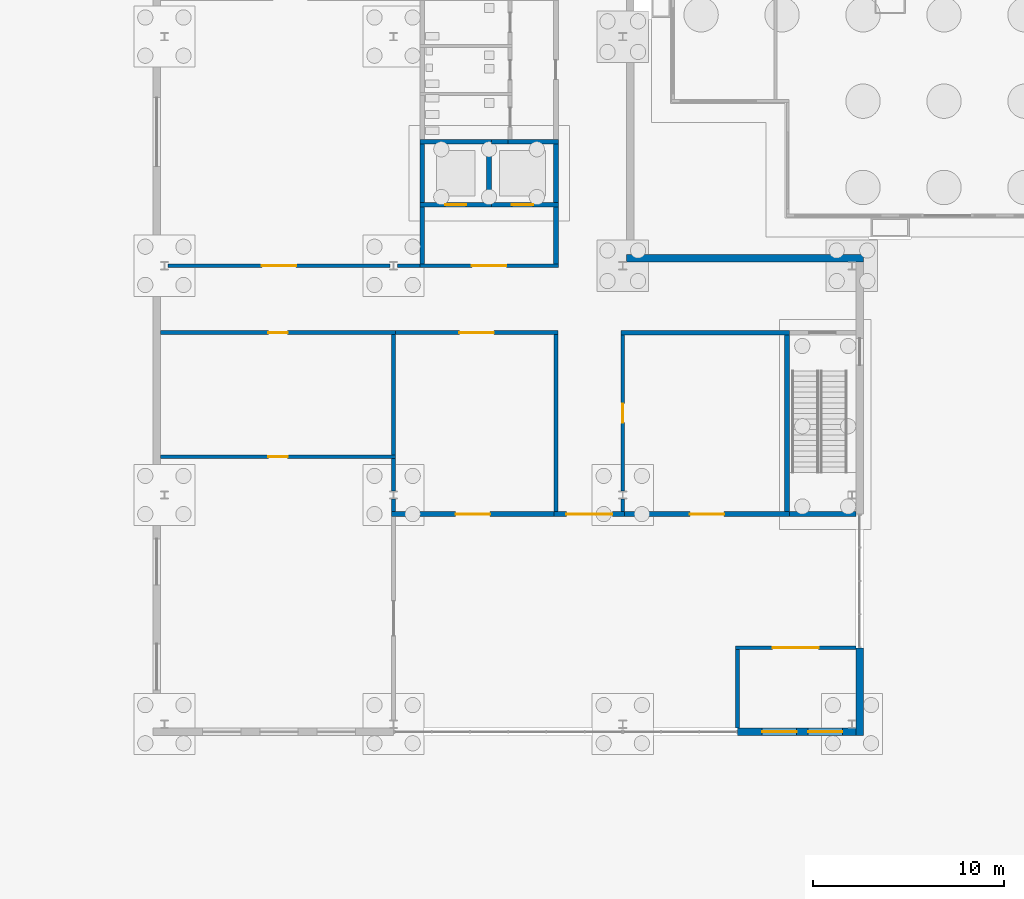
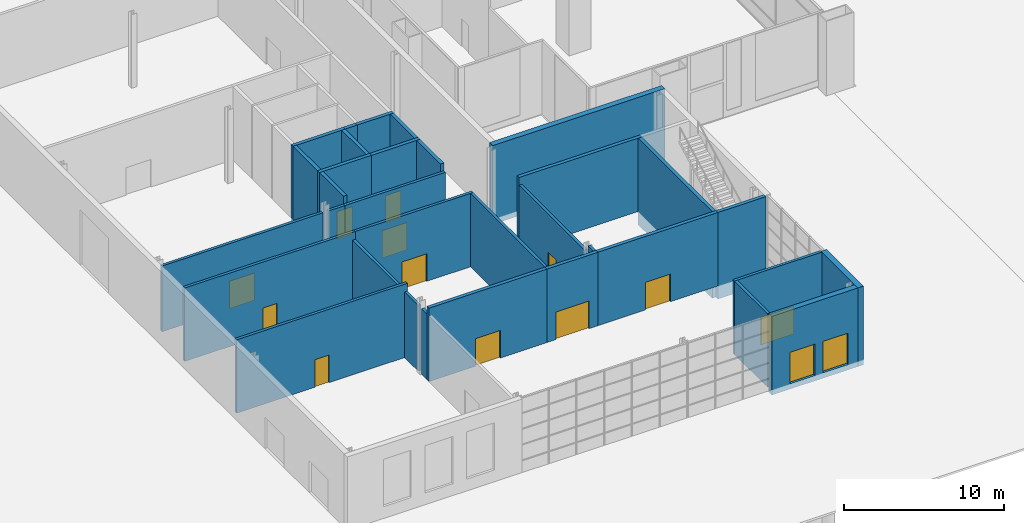
# One storey, part 18 of 29: 33 walls, 14 doors, 14 openings.
"""IFC4 building model written with IfcOpenShell, lengths in metres."""

from ifc_helpers import new_model, si_unit, direction, frame, frame_2d, origin, place, context, subcontext, project, spatial, rectangle, extrude, material, layer, layer_set, type_object, element, fill, save


model = new_model("IFC4")

# Units and contexts
model_context = context("Model", 3, precision=1e-05, world=origin(), true_north=direction((0.0, 1.0)))
body_context = subcontext(model_context, "Body", "Model", "MODEL_VIEW")
ifc_project = project(units=[si_unit("LENGTHUNIT", "METRE"), si_unit("AREAUNIT", "SQUARE_METRE"), si_unit("VOLUMEUNIT", "CUBIC_METRE"), si_unit("PLANEANGLEUNIT", "RADIAN"), si_unit("MASSUNIT", "GRAM", prefix="KILO")], contexts=[model_context])

# Site, building, storey
site_placement = place(None, origin())
site = spatial("IfcSite", under=ifc_project, at=site_placement, CompositionType="ELEMENT")
building_placement = place(site_placement, origin())
building = spatial("IfcBuilding", under=site, at=building_placement, Name="Kitamizu Gate Tower and Museum", CompositionType="ELEMENT")
storey_placement = place(building_placement, origin())
storey = spatial("IfcBuildingStorey", under=building, at=storey_placement, Name="L00", CompositionType="ELEMENT", Elevation=0.0)

# Wall
ifc_material_1 = material(Name="Concrete Fc30", Category="concrete")
ifc_layer_1 = layer(ifc_material_1, 0.25)
ifc_layer_set_1 = layer_set([ifc_layer_1], Name="Concrete Fc30")
wall_type_1 = type_object("IfcWallType", Name="Museum RC core wall 250 EI 90", PredefinedType="SHEAR", material=ifc_layer_set_1)
wall_1_placement = place(storey_placement, frame((-5.5, 1.324951171875, -1.800048828125), z_axis=(0.0, 0.0, 1.0), x_axis=(0.0, 1.0, 0.0)))
element("IfcWall", 1, at=wall_1_placement, inside=storey, type_object=wall_type_1, Name="Core wall L00.16.1", PredefinedType="SHEAR", context=body_context, shape_type="SweptSolid", body=[
    extrude(rectangle(XDim=3.050048828125, YDim=0.25, at=frame_2d((1.52490234375, 0.0))), origin(), (0.0, 0.0, 1.0), 7.400146484375),
])

# Wall, opening, door
wall_2_placement = place(storey_placement, frame((-12.625, 1.199951171875, -1.800048828125), z_axis=(0.0, 0.0, 1.0), x_axis=(1.0, 0.0, 0.0)))
wall_2 = element("IfcWall", 2, at=wall_2_placement, inside=storey, type_object=wall_type_1, Name="Core wall L00.25.1", PredefinedType="SHEAR", context=body_context, shape_type="SweptSolid", body=[
    extrude(rectangle(XDim=3.75, YDim=0.25, at=frame_2d((1.875, 0.0))), origin(), (0.0, 0.0, 1.0), 7.400146484375),
])
opening_1_placement = place(wall_2_placement, frame((1.324951171875, 0.0, 1.800048828125)))
opening_1 = element("IfcOpeningElement", 3, at=opening_1_placement, cuts=wall_2, Name="Opening MUS-L00-012", PredefinedType="OPENING", context=body_context, shape_type="SweptSolid", body=[
    extrude(rectangle(XDim=1.10009765625, YDim=2.10009765625, at=frame_2d((0.550048828125, 1.050048828125))), frame((0.0, 0.135009765625, 0.0), z_axis=(0.0, -1.0, 0.0), x_axis=(1.0, 0.0, 0.0)), (0.0, 0.0, 1.0), 0.27001953125),
])
ifc_material_2 = material(Name="Stainless steel SUS304", Category="steel")
door_type_1 = type_object("IfcDoorType", Name="Museum lift landing door 1100x2100", OperationType="SLIDING_TO_LEFT", PredefinedType="DOOR", material=ifc_material_2)
door_1_placement = place(opening_1_placement, origin())
door_1 = element("IfcDoor", 4, at=door_1_placement, inside=storey, type_object=door_type_1, Name="Lift landing door", OperationType="SLIDING_TO_LEFT", OverallHeight=2.10009765625, OverallWidth=1.10009765625, PredefinedType="DOOR", context=body_context, shape_type="SweptSolid", body=[
    extrude(rectangle(XDim=1.10009765625, YDim=2.10009765625, at=frame_2d((0.550048828125, 1.050048828125))), frame((0.0, 0.02490234375, 0.0), z_axis=(0.0, -1.0, 0.0), x_axis=(1.0, 0.0, 0.0)), (0.0, 0.0, 1.0), 0.050048828125),
])
fill(opening_1, door_1)

wall_3_placement = place(storey_placement, frame((-8.875, 1.199951171875, -1.800048828125), z_axis=(0.0, 0.0, 1.0), x_axis=(1.0, 0.0, 0.0)))
wall_3 = element("IfcWall", 5, at=wall_3_placement, inside=storey, type_object=wall_type_1, Name="Core wall L00.26.1", PredefinedType="SHEAR", context=body_context, shape_type="SweptSolid", body=[
    extrude(rectangle(XDim=3.5, YDim=0.25, at=frame_2d((1.75, 0.0))), origin(), (0.0, 0.0, 1.0), 7.400146484375),
])
opening_2_placement = place(wall_3_placement, frame((1.074951171875, 0.0, 1.800048828125)))
opening_2 = element("IfcOpeningElement", 6, at=opening_2_placement, cuts=wall_3, Name="Opening MUS-L00-013", PredefinedType="OPENING", context=body_context, shape_type="SweptSolid", body=[
    extrude(rectangle(XDim=1.10009765625, YDim=2.10009765625, at=frame_2d((0.550048828125, 1.050048828125))), frame((0.0, 0.135009765625, 0.0), z_axis=(0.0, -1.0, 0.0), x_axis=(1.0, 0.0, 0.0)), (0.0, 0.0, 1.0), 0.27001953125),
])
door_2_placement = place(opening_2_placement, origin())
door_2 = element("IfcDoor", 7, at=door_2_placement, inside=storey, type_object=door_type_1, Name="Lift landing door", OperationType="SLIDING_TO_LEFT", OverallHeight=2.10009765625, OverallWidth=1.10009765625, PredefinedType="DOOR", context=body_context, shape_type="SweptSolid", body=[
    extrude(rectangle(XDim=1.10009765625, YDim=2.10009765625, at=frame_2d((0.550048828125, 1.050048828125))), frame((0.0, 0.02490234375, 0.0), z_axis=(0.0, -1.0, 0.0), x_axis=(1.0, 0.0, 0.0)), (0.0, 0.0, 1.0), 0.050048828125),
])
fill(opening_2, door_2)

# Walls
for number, where, z_axis, x_axis, name in (
    (8, (-12.5, 1.324951171875, -1.800048828125), (0.0, 0.0, 1.0), (0.0, 1.0, 0.0), "Core wall L00.33.1"),
    (9, (-9.0, 1.324951171875, -1.800048828125), (0.0, 0.0, 1.0), (0.0, 1.0, 0.0), "Core wall L00.34.1"),
):
    element("IfcWall", number, at=place(storey_placement, frame(where, z_axis=z_axis, x_axis=x_axis)), inside=storey, type_object=wall_type_1, Name=name, PredefinedType="SHEAR", context=body_context, shape_type="SweptSolid", body=[
        extrude(rectangle(XDim=3.050048828125, YDim=0.25, at=frame_2d((1.52490234375, 0.0))), origin(), (0.0, 0.0, 1.0), 7.400146484375),
    ])
wall_4_placement = place(storey_placement, frame((-12.625, 4.5, -1.800048828125), z_axis=(0.0, 0.0, 1.0), x_axis=(1.0, 0.0, 0.0)))
element("IfcWall", 10, at=wall_4_placement, inside=storey, type_object=wall_type_1, Name="Core wall L00.35.1", PredefinedType="SHEAR", context=body_context, shape_type="SweptSolid", body=[
    extrude(rectangle(XDim=3.75, YDim=0.25, at=frame_2d((1.875, 0.0))), origin(), (0.0, 0.0, 1.0), 7.400146484375),
])
wall_5_placement = place(storey_placement, frame((-8.0, 4.5, -1.800048828125), z_axis=(0.0, 0.0, 1.0), x_axis=(1.0, 0.0, 0.0)))
element("IfcWall", 11, at=wall_5_placement, inside=storey, type_object=wall_type_1, Name="Core wall L00.36.1", PredefinedType="SHEAR", context=body_context, shape_type="SweptSolid", body=[
    extrude(rectangle(XDim=2.625, YDim=0.25, at=frame_2d((1.3125, 0.0))), origin(), (0.0, 0.0, 1.0), 7.400146484375),
])
wall_6_placement = place(storey_placement, frame((-8.875, 4.5, -1.800048828125), z_axis=(0.0, 0.0, 1.0), x_axis=(1.0, 0.0, 0.0)))
element("IfcWall", 12, at=wall_6_placement, inside=storey, type_object=wall_type_1, Name="Core wall L00.37.1", PredefinedType="SHEAR", context=body_context, shape_type="SweptSolid", body=[
    extrude(rectangle(XDim=0.875, YDim=0.25, at=frame_2d((0.4375, 0.0))), origin(), (0.0, 0.0, 1.0), 7.400146484375),
])
wall_7_placement = place(storey_placement, frame((6.72509765625, -15.0, -1.0), z_axis=(0.0, 0.0, 1.0), x_axis=(1.0, 0.0, 0.0)))
element("IfcWall", 13, at=wall_7_placement, inside=storey, type_object=wall_type_1, Name="Core wall L00.40.1", PredefinedType="SHEAR", context=body_context, shape_type="SweptSolid", body=[
    extrude(rectangle(XDim=3.474853515625, YDim=0.25, at=frame_2d((1.7373046875, 0.0))), origin(), (0.0, 0.0, 1.0), 6.60009765625),
])
wall_8_placement = place(storey_placement, frame((6.60009765625, -14.875, -1.0), z_axis=(0.0, 0.0, 1.0), x_axis=(0.0, 1.0, 0.0)))
element("IfcWall", 14, at=wall_8_placement, inside=storey, type_object=wall_type_1, Name="Core wall L00.41.1", PredefinedType="SHEAR", context=body_context, shape_type="SweptSolid", body=[
    extrude(rectangle(XDim=9.25, YDim=0.25, at=frame_2d((4.625, 0.0))), origin(), (0.0, 0.0, 1.0), 6.60009765625),
])

# Wall, openings, doors
ifc_material_3 = material(Name="Concrete Fc30 precast", Category="concrete")
ifc_layer_2 = layer(ifc_material_3, 0.39990234375)
ifc_layer_set_2 = layer_set([ifc_layer_2], Name="Concrete Fc30 precast")
wall_type_2 = type_object("IfcWallType", Name="Museum cladding wall 400", PredefinedType="STANDARD", material=ifc_layer_set_2)
wall_9_placement = place(storey_placement, frame((4.0, -26.39990234375, -0.39990234375), z_axis=(0.0, 0.0, 1.0), x_axis=(1.0, 0.0, 0.0)))
wall_9 = element("IfcWall", 15, at=wall_9_placement, inside=storey, type_object=wall_type_2, Name="Cladding wall L00.1", PredefinedType="STANDARD", context=body_context, shape_type="SweptSolid", body=[
    extrude(rectangle(XDim=6.199951171875, YDim=0.39990234375, at=frame_2d((3.10009765625, 0.0))), origin(), (0.0, 0.0, 1.0), 6.0),
])
opening_3_placement = place(wall_9_placement, frame((1.300048828125, 0.0, 0.39990234375)))
opening_3 = element("IfcOpeningElement", 16, at=opening_3_placement, cuts=wall_9, Name="Opening MUS-L00-001", PredefinedType="OPENING", context=body_context, shape_type="SweptSolid", body=[
    extrude(rectangle(XDim=1.800048828125, YDim=2.39990234375, at=frame_2d((0.89990234375, 1.199951171875))), frame((0.0, 0.2099609375, 0.0), z_axis=(0.0, -1.0, 0.0), x_axis=(1.0, 0.0, 0.0)), (0.0, 0.0, 1.0), 0.419921875),
])
opening_4_placement = place(wall_9_placement, frame((3.699951171875, 0.0, 0.39990234375)))
opening_4 = element("IfcOpeningElement", 17, at=opening_4_placement, cuts=wall_9, Name="Opening MUS-L00-002", PredefinedType="OPENING", context=body_context, shape_type="SweptSolid", body=[
    extrude(rectangle(XDim=1.800048828125, YDim=2.39990234375, at=frame_2d((0.89990234375, 1.199951171875))), frame((0.0, 0.2099609375, 0.0), z_axis=(0.0, -1.0, 0.0), x_axis=(1.0, 0.0, 0.0)), (0.0, 0.0, 1.0), 0.419921875),
])
ifc_material_4 = material(Name="Bronze anodised aluminium and tinted glass", Category="aluminium")
door_type_2 = type_object("IfcDoorType", Name="Museum entrance door 1800x2400", OperationType="DOUBLE_DOOR_SINGLE_SWING", PredefinedType="DOOR", material=ifc_material_4)
door_3_placement = place(opening_3_placement, frame((1.800048828125, 0.0, 0.0), x_axis=(-1.0, 0.0, 0.0)))
door_3 = element("IfcDoor", 18, at=door_3_placement, inside=storey, type_object=door_type_2, Name="Entrance door", OperationType="DOUBLE_DOOR_SINGLE_SWING", OverallHeight=2.39990234375, OverallWidth=1.800048828125, PredefinedType="DOOR", context=body_context, shape_type="SweptSolid", body=[
    extrude(rectangle(XDim=1.800048828125, YDim=2.39990234375, at=frame_2d((0.89990234375, 1.199951171875))), frame((0.0, 0.02490234375, 0.0), z_axis=(0.0, -1.0, 0.0), x_axis=(1.0, 0.0, 0.0)), (0.0, 0.0, 1.0), 0.050048828125),
])
fill(opening_3, door_3)
door_4_placement = place(opening_4_placement, frame((1.800048828125, 0.0, 0.0), x_axis=(-1.0, 0.0, 0.0)))
door_4 = element("IfcDoor", 19, at=door_4_placement, inside=storey, type_object=door_type_2, Name="Entrance door", OperationType="DOUBLE_DOOR_SINGLE_SWING", OverallHeight=2.39990234375, OverallWidth=1.800048828125, PredefinedType="DOOR", context=body_context, shape_type="SweptSolid", body=[
    extrude(rectangle(XDim=1.800048828125, YDim=2.39990234375, at=frame_2d((0.89990234375, 1.199951171875))), frame((0.0, 0.02490234375, 0.0), z_axis=(0.0, -1.0, 0.0), x_axis=(1.0, 0.0, 0.0)), (0.0, 0.0, 1.0), 0.050048828125),
])
fill(opening_4, door_4)

# Walls
wall_10_placement = place(storey_placement, frame((10.39990234375, -26.60009765625, -0.39990234375), z_axis=(0.0, 0.0, 1.0), x_axis=(0.0, 1.0, 0.0)))
element("IfcWall", 20, at=wall_10_placement, inside=storey, type_object=wall_type_2, Name="Cladding wall L00.3", PredefinedType="STANDARD", context=body_context, shape_type="SweptSolid", body=[
    extrude(rectangle(XDim=4.60009765625, YDim=0.39990234375, at=frame_2d((2.300048828125, 0.0))), origin(), (0.0, 0.0, 1.0), 6.0),
])
wall_11_placement = place(storey_placement, frame((-1.800048828125, -1.60009765625, -0.39990234375), z_axis=(0.0, 0.0, 1.0), x_axis=(1.0, 0.0, 0.0)))
element("IfcWall", 21, at=wall_11_placement, inside=storey, type_object=wall_type_2, Name="Cladding wall L00.6", PredefinedType="STANDARD", context=body_context, shape_type="SweptSolid", body=[
    extrude(rectangle(XDim=12.400146484375, YDim=0.39990234375, at=frame_2d((6.2001953125, 0.0))), origin(), (0.0, 0.0, 1.0), 6.0),
])

# Wall, opening, door
ifc_material_5 = material(Name="Gypsum board on galvanised stud")
ifc_layer_3 = layer(ifc_material_5, 0.199951171875)
ifc_layer_set_3 = layer_set([ifc_layer_3], Name="Gypsum board on galvanised stud")
wall_type_3 = type_object("IfcWallType", Name="Museum fire rated partition 200", PredefinedType="PARTITIONING", material=ifc_layer_set_3)
wall_12_placement = place(storey_placement, frame((-26.199951171875, -12.0, 0.0), z_axis=(0.0, 0.0, 1.0), x_axis=(1.0, 0.0, 0.0)))
wall_12 = element("IfcWall", 22, at=wall_12_placement, inside=storey, type_object=wall_type_3, Name="Fire-rated partition L00.2.1", PredefinedType="PARTITIONING", context=body_context, shape_type="SweptSolid", body=[
    extrude(rectangle(XDim=12.300048828125, YDim=0.199951171875, at=frame_2d((6.14990234375, 0.0))), origin(), (0.0, 0.0, 1.0), 5.60009765625),
])
opening_5_placement = place(wall_12_placement, frame((5.64990234375, 0.0, 0.0)))
opening_5 = element("IfcOpeningElement", 23, at=opening_5_placement, cuts=wall_12, Name="Opening MUS-L00-021", PredefinedType="OPENING", context=body_context, shape_type="SweptSolid", body=[
    extrude(rectangle(XDim=1.0, YDim=2.10009765625, at=frame_2d((0.5, 1.050048828125))), frame((0.0, 0.10986328125, 0.0), z_axis=(0.0, -1.0, 0.0), x_axis=(1.0, 0.0, 0.0)), (0.0, 0.0, 1.0), 0.219970703125),
])
ifc_material_6 = material(Name="Timber leaf in hollow metal frame", Category="wood")
door_type_3 = type_object("IfcDoorType", Name="Museum door 1000x2100 FD60", OperationType="NOTDEFINED", PredefinedType="DOOR", material=ifc_material_6)
door_5_placement = place(opening_5_placement, origin())
door_5 = element("IfcDoor", 24, at=door_5_placement, inside=storey, type_object=door_type_3, Name="Door Cafe kitchen", OperationType="SINGLE_SWING_LEFT", OverallHeight=2.10009765625, OverallWidth=1.0, PredefinedType="DOOR", context=body_context, shape_type="SweptSolid", body=[
    extrude(rectangle(XDim=1.0, YDim=2.10009765625, at=frame_2d((0.5, 1.050048828125))), frame((0.0, 0.02490234375, 0.0), z_axis=(0.0, -1.0, 0.0), x_axis=(1.0, 0.0, 0.0)), (0.0, 0.0, 1.0), 0.050048828125),
])
fill(opening_5, door_5)

# Wall
wall_13_placement = place(storey_placement, frame((-14.0, -11.89990234375, 0.0), z_axis=(0.0, 0.0, 1.0), x_axis=(0.0, 1.0, 0.0)))
element("IfcWall", 25, at=wall_13_placement, inside=storey, type_object=wall_type_3, Name="Fire-rated partition L00.4.1", PredefinedType="PARTITIONING", context=body_context, shape_type="SweptSolid", body=[
    extrude(rectangle(XDim=6.2998046875, YDim=0.199951171875, at=frame_2d((3.14990234375, 0.0))), origin(), (0.0, 0.0, 1.0), 5.011962890625),
])

# Wall, opening, door
wall_14_placement = place(storey_placement, frame((-26.199951171875, -5.5, 0.0), z_axis=(0.0, 0.0, 1.0), x_axis=(1.0, 0.0, 0.0)))
wall_14 = element("IfcWall", 26, at=wall_14_placement, inside=storey, type_object=wall_type_3, Name="Fire-rated partition L00.5.1", PredefinedType="PARTITIONING", context=body_context, shape_type="SweptSolid", body=[
    extrude(rectangle(XDim=12.300048828125, YDim=0.199951171875, at=frame_2d((6.14990234375, 0.0))), origin(), (0.0, 0.0, 1.0), 5.60009765625),
])
opening_6_placement = place(wall_14_placement, frame((5.64990234375, 0.0, 0.0)))
opening_6 = element("IfcOpeningElement", 27, at=opening_6_placement, cuts=wall_14, Name="Opening MUS-L00-022", PredefinedType="OPENING", context=body_context, shape_type="SweptSolid", body=[
    extrude(rectangle(XDim=1.0, YDim=2.10009765625, at=frame_2d((0.5, 1.050048828125))), frame((0.0, 0.10986328125, 0.0), z_axis=(0.0, -1.0, 0.0), x_axis=(1.0, 0.0, 0.0)), (0.0, 0.0, 1.0), 0.219970703125),
])
door_6_placement = place(opening_6_placement, frame((1.0, 0.0, 0.0), x_axis=(-1.0, 0.0, 0.0)))
door_6 = element("IfcDoor", 28, at=door_6_placement, inside=storey, type_object=door_type_3, Name="Door Cafe kitchen", OperationType="SINGLE_SWING_LEFT", OverallHeight=2.10009765625, OverallWidth=1.0, PredefinedType="DOOR", context=body_context, shape_type="SweptSolid", body=[
    extrude(rectangle(XDim=1.0, YDim=2.10009765625, at=frame_2d((0.5, 1.050048828125))), frame((0.0, 0.02490234375, 0.0), z_axis=(0.0, -1.0, 0.0), x_axis=(1.0, 0.0, 0.0)), (0.0, 0.0, 1.0), 0.050048828125),
])
fill(opening_6, door_6)

wall_15_placement = place(storey_placement, frame((-12.625, -2.0, 0.0), z_axis=(0.0, 0.0, 1.0), x_axis=(1.0, 0.0, 0.0)))
wall_15 = element("IfcWall", 29, at=wall_15_placement, inside=storey, type_object=wall_type_3, Name="Fire-rated partition L00.8.1", PredefinedType="PARTITIONING", context=body_context, shape_type="SweptSolid", body=[
    extrude(rectangle(XDim=7.25, YDim=0.199951171875, at=frame_2d((3.625, 0.0))), origin(), (0.0, 0.0, 1.0), 5.011962890625),
])
opening_7_placement = place(wall_15_placement, frame((2.72509765625, 0.0, 0.0)))
opening_7 = element("IfcOpeningElement", 30, at=opening_7_placement, cuts=wall_15, Name="Opening MUS-L00-011", PredefinedType="OPENING", context=body_context, shape_type="SweptSolid", body=[
    extrude(rectangle(XDim=1.800048828125, YDim=2.10009765625, at=frame_2d((0.89990234375, 1.050048828125))), frame((0.0, 0.10986328125, 0.0), z_axis=(0.0, -1.0, 0.0), x_axis=(1.0, 0.0, 0.0)), (0.0, 0.0, 1.0), 0.219970703125),
])
ifc_material_7 = material(Name="Timber leaf in hollow metal frame", Category="wood")
door_type_4 = type_object("IfcDoorType", Name="Museum door 1800x2100 FD60", OperationType="DOUBLE_DOOR_SINGLE_SWING", PredefinedType="DOOR", material=ifc_material_7)
door_7_placement = place(opening_7_placement, origin())
door_7 = element("IfcDoor", 31, at=door_7_placement, inside=storey, type_object=door_type_4, Name="Door Lift lobby", OperationType="DOUBLE_DOOR_SINGLE_SWING", OverallHeight=2.10009765625, OverallWidth=1.800048828125, PredefinedType="DOOR", context=body_context, shape_type="SweptSolid", body=[
    extrude(rectangle(XDim=1.800048828125, YDim=2.10009765625, at=frame_2d((0.89990234375, 1.050048828125))), frame((0.0, 0.02490234375, 0.0), z_axis=(0.0, -1.0, 0.0), x_axis=(1.0, 0.0, 0.0)), (0.0, 0.0, 1.0), 0.050048828125),
])
fill(opening_7, door_7)

wall_16_placement = place(storey_placement, frame((-25.800048828125, -2.0, 0.0), z_axis=(0.0, 0.0, 1.0), x_axis=(1.0, 0.0, 0.0)))
wall_16 = element("IfcWall", 32, at=wall_16_placement, inside=storey, type_object=wall_type_3, Name="Fire-rated partition L00.10.1", PredefinedType="PARTITIONING", context=body_context, shape_type="SweptSolid", body=[
    extrude(rectangle(XDim=11.60009765625, YDim=0.199951171875, at=frame_2d((5.800048828125, 0.0))), origin(), (0.0, 0.0, 1.0), 5.011962890625),
])
opening_8_placement = place(wall_16_placement, frame((4.89990234375, 0.0, 0.0)))
opening_8 = element("IfcOpeningElement", 33, at=opening_8_placement, cuts=wall_16, Name="Opening MUS-L00-025", PredefinedType="OPENING", context=body_context, shape_type="SweptSolid", body=[
    extrude(rectangle(XDim=1.800048828125, YDim=2.10009765625, at=frame_2d((0.89990234375, 1.050048828125))), frame((0.0, 0.10986328125, 0.0), z_axis=(0.0, -1.0, 0.0), x_axis=(1.0, 0.0, 0.0)), (0.0, 0.0, 1.0), 0.219970703125),
])
door_8_placement = place(opening_8_placement, origin())
door_8 = element("IfcDoor", 34, at=door_8_placement, inside=storey, type_object=door_type_4, Name="Door Loading bay", OperationType="DOUBLE_DOOR_SINGLE_SWING", OverallHeight=2.10009765625, OverallWidth=1.800048828125, PredefinedType="DOOR", context=body_context, shape_type="SweptSolid", body=[
    extrude(rectangle(XDim=1.800048828125, YDim=2.10009765625, at=frame_2d((0.89990234375, 1.050048828125))), frame((0.0, 0.02490234375, 0.0), z_axis=(0.0, -1.0, 0.0), x_axis=(1.0, 0.0, 0.0)), (0.0, 0.0, 1.0), 0.050048828125),
])
fill(opening_8, door_8)

# Walls
wall_17_placement = place(storey_placement, frame((-13.800048828125, -2.0, 0.0), z_axis=(0.0, 0.0, 1.0), x_axis=(1.0, 0.0, 0.0)))
element("IfcWall", 35, at=wall_17_placement, inside=storey, type_object=wall_type_3, Name="Fire-rated partition L00.10.2", PredefinedType="PARTITIONING", context=body_context, shape_type="SweptSolid", body=[
    extrude(rectangle(XDim=1.175048828125, YDim=0.199951171875, at=frame_2d((0.58740234375, 0.0))), origin(), (0.0, 0.0, 1.0), 5.011962890625),
])
wall_18_placement = place(storey_placement, frame((-5.5, -14.875, 0.0), z_axis=(0.0, 0.0, 1.0), x_axis=(0.0, 1.0, 0.0)))
element("IfcWall", 36, at=wall_18_placement, inside=storey, type_object=wall_type_3, Name="Fire-rated partition L00.12.1", PredefinedType="PARTITIONING", context=body_context, shape_type="SweptSolid", body=[
    extrude(rectangle(XDim=9.27490234375, YDim=0.199951171875, at=frame_2d((4.637451171875, 0.0))), origin(), (0.0, 0.0, 1.0), 5.60009765625),
])

# Wall, opening, door
wall_19_placement = place(storey_placement, frame((-13.89990234375, -5.5, 0.0), z_axis=(0.0, 0.0, 1.0), x_axis=(1.0, 0.0, 0.0)))
wall_19 = element("IfcWall", 37, at=wall_19_placement, inside=storey, type_object=wall_type_3, Name="Fire-rated partition L00.13.1", PredefinedType="PARTITIONING", context=body_context, shape_type="SweptSolid", body=[
    extrude(rectangle(XDim=8.5, YDim=0.199951171875, at=frame_2d((4.25, 0.0))), origin(), (0.0, 0.0, 1.0), 5.60009765625),
])
opening_9_placement = place(wall_19_placement, frame((3.35009765625, 0.0, 0.0)))
opening_9 = element("IfcOpeningElement", 38, at=opening_9_placement, cuts=wall_19, Name="Opening MUS-L00-023", PredefinedType="OPENING", context=body_context, shape_type="SweptSolid", body=[
    extrude(rectangle(XDim=1.800048828125, YDim=2.10009765625, at=frame_2d((0.89990234375, 1.050048828125))), frame((0.0, 0.10986328125, 0.0), z_axis=(0.0, -1.0, 0.0), x_axis=(1.0, 0.0, 0.0)), (0.0, 0.0, 1.0), 0.219970703125),
])
door_9_placement = place(opening_9_placement, origin())
door_9 = element("IfcDoor", 39, at=door_9_placement, inside=storey, type_object=door_type_4, Name="Door Museum shop", OperationType="DOUBLE_DOOR_SINGLE_SWING", OverallHeight=2.10009765625, OverallWidth=1.800048828125, PredefinedType="DOOR", context=body_context, shape_type="SweptSolid", body=[
    extrude(rectangle(XDim=1.800048828125, YDim=2.10009765625, at=frame_2d((0.89990234375, 1.050048828125))), frame((0.0, 0.02490234375, 0.0), z_axis=(0.0, -1.0, 0.0), x_axis=(1.0, 0.0, 0.0)), (0.0, 0.0, 1.0), 0.050048828125),
])
fill(opening_9, door_9)

# Wall
wall_20_placement = place(storey_placement, frame((-2.0, -14.875, 0.0), z_axis=(0.0, 0.0, 1.0), x_axis=(0.0, 1.0, 0.0)))
element("IfcWall", 40, at=wall_20_placement, inside=storey, type_object=wall_type_3, Name="Fire-rated partition L00.14.1", PredefinedType="PARTITIONING", context=body_context, shape_type="SweptSolid", body=[
    extrude(rectangle(XDim=0.675048828125, YDim=0.199951171875, at=frame_2d((0.33740234375, 0.0))), origin(), (0.0, 0.0, 1.0), 5.60009765625),
])

# Wall, opening, door
wall_21_placement = place(storey_placement, frame((-2.0, -13.800048828125, 0.0), z_axis=(0.0, 0.0, 1.0), x_axis=(0.0, 1.0, 0.0)))
wall_21 = element("IfcWall", 41, at=wall_21_placement, inside=storey, type_object=wall_type_3, Name="Fire-rated partition L00.14.2", PredefinedType="PARTITIONING", context=body_context, shape_type="SweptSolid", body=[
    extrude(rectangle(XDim=8.175048828125, YDim=0.199951171875, at=frame_2d((4.08740234375, 0.0))), origin(), (0.0, 0.0, 1.0), 5.011962890625),
])
opening_10_placement = place(wall_21_placement, frame((3.587890625, 0.0, 0.0)))
opening_10 = element("IfcOpeningElement", 42, at=opening_10_placement, cuts=wall_21, Name="Opening MUS-L00-024", PredefinedType="OPENING", context=body_context, shape_type="SweptSolid", body=[
    extrude(rectangle(XDim=1.0, YDim=2.10009765625, at=frame_2d((0.5, 1.050048828125))), frame((0.0, 0.10986328125, 0.0), z_axis=(0.0, -1.0, 0.0), x_axis=(1.0, 0.0, 0.0)), (0.0, 0.0, 1.0), 0.219970703125),
])
door_10_placement = place(opening_10_placement, frame((1.0, 0.0, 0.0), x_axis=(-1.0, 0.0, 0.0)))
door_10 = element("IfcDoor", 43, at=door_10_placement, inside=storey, type_object=door_type_3, Name="Door Reception and cloakroom", OperationType="SINGLE_SWING_RIGHT", OverallHeight=2.10009765625, OverallWidth=1.0, PredefinedType="DOOR", context=body_context, shape_type="SweptSolid", body=[
    extrude(rectangle(XDim=1.0, YDim=2.10009765625, at=frame_2d((0.5, 1.050048828125))), frame((0.0, 0.02490234375, 0.0), z_axis=(0.0, -1.0, 0.0), x_axis=(1.0, 0.0, 0.0)), (0.0, 0.0, 1.0), 0.050048828125),
])
fill(opening_10, door_10)

# Wall
wall_22_placement = place(storey_placement, frame((4.0, -26.199951171875, 0.0), z_axis=(0.0, 0.0, 1.0), x_axis=(0.0, 1.0, 0.0)))
element("IfcWall", 44, at=wall_22_placement, inside=storey, type_object=wall_type_3, Name="Fire-rated partition L00.22.1", PredefinedType="PARTITIONING", context=body_context, shape_type="SweptSolid", body=[
    extrude(rectangle(XDim=4.099853515625, YDim=0.199951171875, at=frame_2d((2.0498046875, 0.0))), origin(), (0.0, 0.0, 1.0), 5.60009765625),
])

# Wall, opening, door
wall_23_placement = place(storey_placement, frame((3.89990234375, -22.0, 0.0), z_axis=(0.0, 0.0, 1.0), x_axis=(1.0, 0.0, 0.0)))
wall_23 = element("IfcWall", 45, at=wall_23_placement, inside=storey, type_object=wall_type_3, Name="Fire-rated partition L00.23.1", PredefinedType="PARTITIONING", context=body_context, shape_type="SweptSolid", body=[
    extrude(rectangle(XDim=6.300048828125, YDim=0.199951171875, at=frame_2d((3.14990234375, 0.0))), origin(), (0.0, 0.0, 1.0), 5.60009765625),
])
opening_11_placement = place(wall_23_placement, frame((1.949951171875, 0.0, 0.0)))
opening_11 = element("IfcOpeningElement", 46, at=opening_11_placement, cuts=wall_23, Name="Opening MUS-L00-018", PredefinedType="OPENING", context=body_context, shape_type="SweptSolid", body=[
    extrude(rectangle(XDim=2.39990234375, YDim=2.10009765625, at=frame_2d((1.199951171875, 1.050048828125))), frame((0.0, 0.10986328125, 0.0), z_axis=(0.0, -1.0, 0.0), x_axis=(1.0, 0.0, 0.0)), (0.0, 0.0, 1.0), 0.219970703125),
])
ifc_material_8 = material(Name="Timber leaf in hollow metal frame", Category="wood")
door_type_5 = type_object("IfcDoorType", Name="Museum door 2400x2100 FD60", OperationType="DOUBLE_DOOR_SINGLE_SWING", PredefinedType="DOOR", material=ifc_material_8)
door_11_placement = place(opening_11_placement, origin())
door_11 = element("IfcDoor", 47, at=door_11_placement, inside=storey, type_object=door_type_5, Name="Door Entrance lobby", OperationType="DOUBLE_DOOR_SINGLE_SWING", OverallHeight=2.10009765625, OverallWidth=2.39990234375, PredefinedType="DOOR", context=body_context, shape_type="SweptSolid", body=[
    extrude(rectangle(XDim=2.39990234375, YDim=2.10009765625, at=frame_2d((1.199951171875, 1.050048828125))), frame((0.0, 0.02490234375, 0.0), z_axis=(0.0, -1.0, 0.0), x_axis=(1.0, 0.0, 0.0)), (0.0, 0.0, 1.0), 0.050048828125),
])
fill(opening_11, door_11)

# Wall
ifc_material_9 = material(Name="Gypsum board on galvanised stud")
ifc_layer_4 = layer(ifc_material_9, 0.25)
ifc_layer_set_4 = layer_set([ifc_layer_4], Name="Gypsum board on galvanised stud")
wall_type_4 = type_object("IfcWallType", Name="Museum fire rated partition 250", PredefinedType="PARTITIONING", material=ifc_layer_set_4)
wall_24_placement = place(storey_placement, frame((-5.5, -1.89990234375, 0.0), z_axis=(0.0, 0.0, 1.0), x_axis=(0.0, 1.0, 0.0)))
element("IfcWall", 48, at=wall_24_placement, inside=storey, type_object=wall_type_4, Name="Fire-rated partition L00.9.1", PredefinedType="PARTITIONING", context=body_context, shape_type="SweptSolid", body=[
    extrude(rectangle(XDim=2.974853515625, YDim=0.25, at=frame_2d((1.4873046875, 0.0))), origin(), (0.0, 0.0, 1.0), 5.60009765625),
])

# Wall, opening, door
wall_25_placement = place(storey_placement, frame((-5.60009765625, -15.0, 0.0), z_axis=(0.0, 0.0, 1.0), x_axis=(1.0, 0.0, 0.0)))
wall_25 = element("IfcWall", 49, at=wall_25_placement, inside=storey, type_object=wall_type_4, Name="Fire-rated partition L00.11.1", PredefinedType="PARTITIONING", context=body_context, shape_type="SweptSolid", body=[
    extrude(rectangle(XDim=3.7001953125, YDim=0.25, at=frame_2d((1.85009765625, 0.0))), origin(), (0.0, 0.0, 1.0), 5.60009765625),
])
opening_12_placement = place(wall_25_placement, frame((0.64990234375, 0.0, 0.0)))
opening_12 = element("IfcOpeningElement", 50, at=opening_12_placement, cuts=wall_25, Name="Opening MUS-L00-019", PredefinedType="OPENING", context=body_context, shape_type="SweptSolid", body=[
    extrude(rectangle(XDim=2.39990234375, YDim=2.10009765625, at=frame_2d((1.199951171875, 1.050048828125))), frame((0.0, 0.135009765625, 0.0), z_axis=(0.0, -1.0, 0.0), x_axis=(1.0, 0.0, 0.0)), (0.0, 0.0, 1.0), 0.27001953125),
])
door_12_placement = place(opening_12_placement, origin())
door_12 = element("IfcDoor", 51, at=door_12_placement, inside=storey, type_object=door_type_5, Name="Door Main hall", OperationType="DOUBLE_DOOR_SINGLE_SWING", OverallHeight=2.10009765625, OverallWidth=2.39990234375, PredefinedType="DOOR", context=body_context, shape_type="SweptSolid", body=[
    extrude(rectangle(XDim=2.39990234375, YDim=2.10009765625, at=frame_2d((1.199951171875, 1.050048828125))), frame((0.0, 0.02490234375, 0.0), z_axis=(0.0, -1.0, 0.0), x_axis=(1.0, 0.0, 0.0)), (0.0, 0.0, 1.0), 0.050048828125),
])
fill(opening_12, door_12)

# Walls
wall_26_placement = place(storey_placement, frame((-2.10009765625, -5.5, 0.0), z_axis=(0.0, 0.0, 1.0), x_axis=(1.0, 0.0, 0.0)))
element("IfcWall", 52, at=wall_26_placement, inside=storey, type_object=wall_type_4, Name="Fire-rated partition L00.15.1", PredefinedType="PARTITIONING", context=body_context, shape_type="SweptSolid", body=[
    extrude(rectangle(XDim=8.8251953125, YDim=0.25, at=frame_2d((4.41259765625, 0.0))), origin(), (0.0, 0.0, 1.0), 5.60009765625),
])
wall_27_placement = place(storey_placement, frame((-12.5, -1.89990234375, 0.0), z_axis=(0.0, 0.0, 1.0), x_axis=(0.0, 1.0, 0.0)))
element("IfcWall", 53, at=wall_27_placement, inside=storey, type_object=wall_type_4, Name="Fire-rated partition L00.24.1", PredefinedType="PARTITIONING", context=body_context, shape_type="SweptSolid", body=[
    extrude(rectangle(XDim=2.974853515625, YDim=0.25, at=frame_2d((1.4873046875, 0.0))), origin(), (0.0, 0.0, 1.0), 5.60009765625),
])
ifc_material_10 = material(Name="Gypsum board on galvanised stud")
ifc_layer_5 = layer(ifc_material_10, 0.199951171875)
ifc_layer_set_5 = layer_set([ifc_layer_5], Name="Gypsum board on galvanised stud")
wall_type_5 = type_object("IfcWallType", Name="Museum partition 200", PredefinedType="PARTITIONING", material=ifc_layer_set_5)
wall_28_placement = place(storey_placement, frame((-14.0, -14.875, 0.0), z_axis=(0.0, 0.0, 1.0), x_axis=(0.0, 1.0, 0.0)))
element("IfcWall", 54, at=wall_28_placement, inside=storey, type_object=wall_type_5, Name="Partition L00.3.1", PredefinedType="PARTITIONING", context=body_context, shape_type="SweptSolid", body=[
    extrude(rectangle(XDim=0.675048828125, YDim=0.199951171875, at=frame_2d((0.33740234375, 0.0))), origin(), (0.0, 0.0, 1.0), 5.011962890625),
])
wall_29_placement = place(storey_placement, frame((-14.0, -13.800048828125, 0.0), z_axis=(0.0, 0.0, 1.0), x_axis=(0.0, 1.0, 0.0)))
element("IfcWall", 55, at=wall_29_placement, inside=storey, type_object=wall_type_5, Name="Partition L00.3.2", PredefinedType="PARTITIONING", context=body_context, shape_type="SweptSolid", body=[
    extrude(rectangle(XDim=1.699951171875, YDim=0.199951171875, at=frame_2d((0.85009765625, 0.0))), origin(), (0.0, 0.0, 1.0), 5.011962890625),
])

# Wall, opening, door
ifc_material_11 = material(Name="Gypsum board on galvanised stud")
ifc_layer_6 = layer(ifc_material_11, 0.25)
ifc_layer_set_6 = layer_set([ifc_layer_6], Name="Gypsum board on galvanised stud")
wall_type_6 = type_object("IfcWallType", Name="Museum partition 250", PredefinedType="PARTITIONING", material=ifc_layer_set_6)
wall_30_placement = place(storey_placement, frame((-14.10009765625, -15.0, 0.0), z_axis=(0.0, 0.0, 1.0), x_axis=(1.0, 0.0, 0.0)))
wall_30 = element("IfcWall", 56, at=wall_30_placement, inside=storey, type_object=wall_type_6, Name="Partition L00.29.1", PredefinedType="PARTITIONING", context=body_context, shape_type="SweptSolid", body=[
    extrude(rectangle(XDim=8.5, YDim=0.25, at=frame_2d((4.25, 0.0))), origin(), (0.0, 0.0, 1.0), 5.60009765625),
])
opening_13_placement = place(wall_30_placement, frame((3.35009765625, 0.0, 0.0)))
opening_13 = element("IfcOpeningElement", 57, at=opening_13_placement, cuts=wall_30, Name="Opening MUS-L00-028", PredefinedType="OPENING", context=body_context, shape_type="SweptSolid", body=[
    extrude(rectangle(XDim=1.800048828125, YDim=2.10009765625, at=frame_2d((0.89990234375, 1.050048828125))), frame((0.0, 0.135009765625, 0.0), z_axis=(0.0, -1.0, 0.0), x_axis=(1.0, 0.0, 0.0)), (0.0, 0.0, 1.0), 0.27001953125),
])
ifc_material_12 = material(Name="Timber leaf in hollow metal frame", Category="wood")
door_type_6 = type_object("IfcDoorType", Name="Museum door 1800x2100", OperationType="DOUBLE_DOOR_SINGLE_SWING", PredefinedType="DOOR", material=ifc_material_12)
door_13_placement = place(opening_13_placement, origin())
door_13 = element("IfcDoor", 58, at=door_13_placement, inside=storey, type_object=door_type_6, Name="Door Museum shop", OperationType="DOUBLE_DOOR_SINGLE_SWING", OverallHeight=2.10009765625, OverallWidth=1.800048828125, PredefinedType="DOOR", context=body_context, shape_type="SweptSolid", body=[
    extrude(rectangle(XDim=1.800048828125, YDim=2.10009765625, at=frame_2d((0.89990234375, 1.050048828125))), frame((0.0, 0.02490234375, 0.0), z_axis=(0.0, -1.0, 0.0), x_axis=(1.0, 0.0, 0.0)), (0.0, 0.0, 1.0), 0.050048828125),
])
fill(opening_13, door_13)

wall_31_placement = place(storey_placement, frame((-1.89990234375, -15.0, 0.0), z_axis=(0.0, 0.0, 1.0), x_axis=(1.0, 0.0, 0.0)))
wall_31 = element("IfcWall", 59, at=wall_31_placement, inside=storey, type_object=wall_type_6, Name="Partition L00.30.1", PredefinedType="PARTITIONING", context=body_context, shape_type="SweptSolid", body=[
    extrude(rectangle(XDim=8.625, YDim=0.25, at=frame_2d((4.3125, 0.0))), origin(), (0.0, 0.0, 1.0), 5.60009765625),
])
opening_14_placement = place(wall_31_placement, frame((3.412109375, 0.0, 0.0)))
opening_14 = element("IfcOpeningElement", 60, at=opening_14_placement, cuts=wall_31, Name="Opening MUS-L00-029", PredefinedType="OPENING", context=body_context, shape_type="SweptSolid", body=[
    extrude(rectangle(XDim=1.800048828125, YDim=2.10009765625, at=frame_2d((0.89990234375, 1.050048828125))), frame((0.0, 0.135009765625, 0.0), z_axis=(0.0, -1.0, 0.0), x_axis=(1.0, 0.0, 0.0)), (0.0, 0.0, 1.0), 0.27001953125),
])
door_14_placement = place(opening_14_placement, origin())
door_14 = element("IfcDoor", 61, at=door_14_placement, inside=storey, type_object=door_type_6, Name="Door Reception and cloakroom", OperationType="DOUBLE_DOOR_SINGLE_SWING", OverallHeight=2.10009765625, OverallWidth=1.800048828125, PredefinedType="DOOR", context=body_context, shape_type="SweptSolid", body=[
    extrude(rectangle(XDim=1.800048828125, YDim=2.10009765625, at=frame_2d((0.89990234375, 1.050048828125))), frame((0.0, 0.02490234375, 0.0), z_axis=(0.0, -1.0, 0.0), x_axis=(1.0, 0.0, 0.0)), (0.0, 0.0, 1.0), 0.050048828125),
])
fill(opening_14, door_14)

save(model, "model.ifc")
